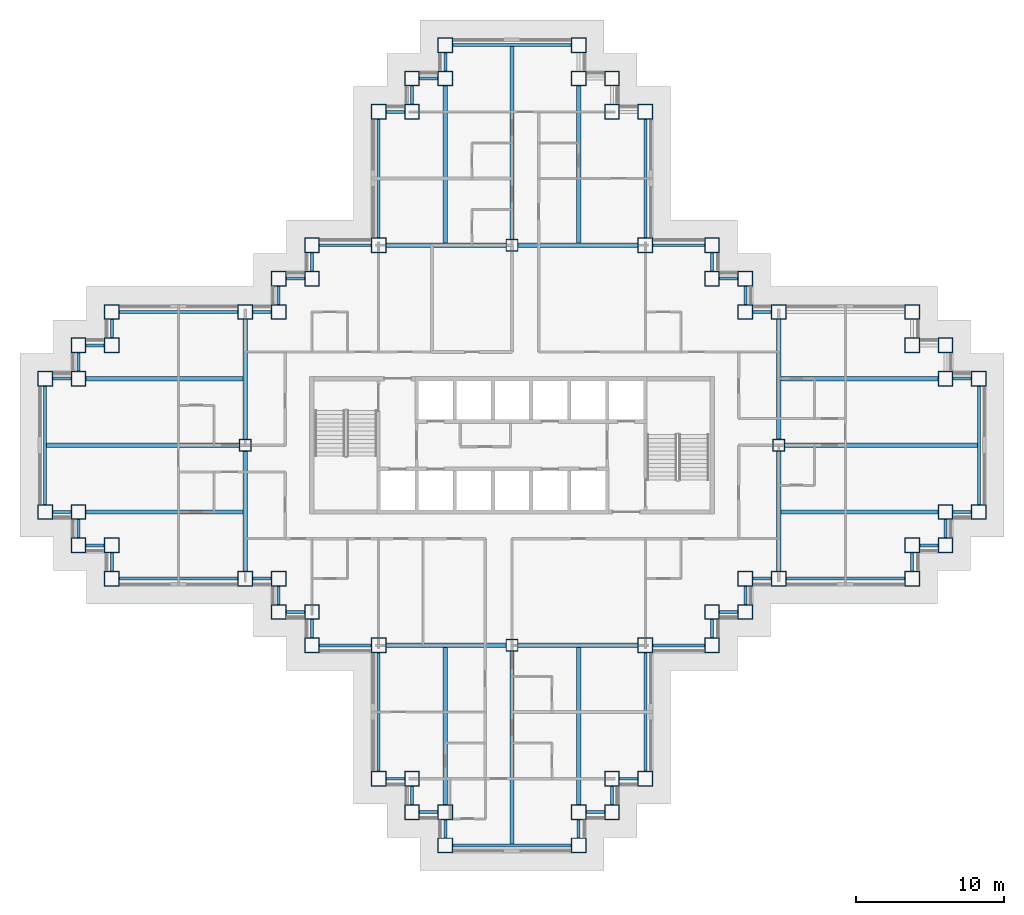
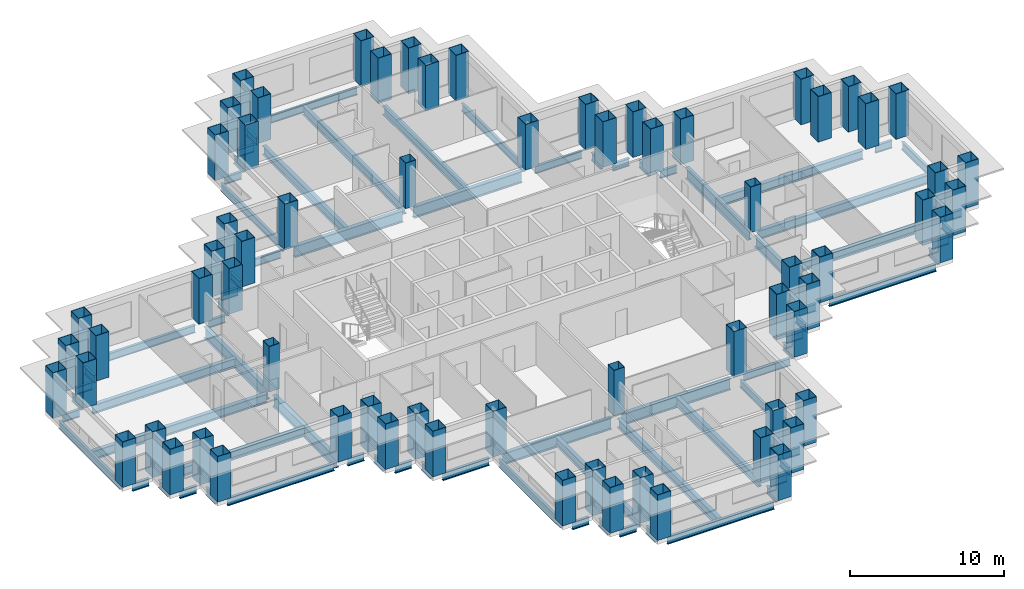
# One storey, part 1 of 14: 76 beams, 68 columns.
"""IFC4 building model written with IfcOpenShell, lengths in metres."""

from ifc_helpers import new_model, si_unit, direction, frame, origin, origin_2d, place, context, subcontext, project, spatial, hollow_rectangle, i_section, extrude, material, material_profile, profile_set, type_object, element, save


model = new_model("IFC4")

# Units and contexts
model_context = context("Model", 3, precision=1e-05, world=origin(), true_north=direction((0.0, 1.0)))
body_context = subcontext(model_context, "Body", "Model", "MODEL_VIEW")
ifc_project = project(units=[si_unit("LENGTHUNIT", "METRE"), si_unit("AREAUNIT", "SQUARE_METRE"), si_unit("VOLUMEUNIT", "CUBIC_METRE"), si_unit("PLANEANGLEUNIT", "RADIAN"), si_unit("MASSUNIT", "GRAM", prefix="KILO")], contexts=[model_context])

# Site, building, storey
site_placement = place(None, origin())
site = spatial("IfcSite", under=ifc_project, at=site_placement, CompositionType="ELEMENT")
building_placement = place(site_placement, origin())
building = spatial("IfcBuilding", under=site, at=building_placement, Name="Caravel Reach Hotel and Residences", CompositionType="ELEMENT")
storey_placement = place(building_placement, frame((0.0, 0.0, 67.199951171875)))
storey = spatial("IfcBuildingStorey", under=building, at=storey_placement, Name="L15", CompositionType="ELEMENT", Elevation=67.199951171875)

# Columns
ifc_material_1 = material(Name="Concrete-filled steel tube Q390B with Concrete C70 infill", Category="concrete")
ifc_material_profile_1 = material_profile(ifc_material_1, hollow_rectangle(XDim=1.0, YDim=1.0, WallThickness=0.031982421875, at=origin_2d()), Name="RHS 1000x1000x32")
ifc_profile_set_1 = profile_set([ifc_material_profile_1], Name="Concrete-filled steel tube Q390B with Concrete C70 infill")
column_type_1 = type_object("IfcColumnType", Name="CFT 1000x1000 Q390B C70", PredefinedType="COLUMN", material=ifc_profile_set_1)
for number, where, z_axis, x_axis, name in (
    (1, (22.5, 4.5, 0.0), (0.0, 0.0, 1.0), (1.0, 0.0, 0.0), "C2 column"),
    (2, (24.75, 4.5, 0.0), (0.0, 0.0, 1.0), (1.0, 0.0, 0.0), "C2 column"),
    (3, (24.75, 2.25, 0.0), (0.0, 0.0, 1.0), (1.0, 0.0, 0.0), "C2 column"),
    (4, (27.0, 2.25, 0.0), (0.0, 0.0, 1.0), (1.0, 0.0, 0.0), "C2 column"),
    (5, (27.0, 0.0, 0.0), (0.0, 0.0, 1.0), (1.0, 0.0, 0.0), "C2 column"),
    (6, (36.0, 0.0, 0.0), (0.0, 0.0, 1.0), (1.0, 0.0, 0.0), "C2 column"),
    (7, (36.0, 2.25, 0.0), (0.0, 0.0, 1.0), (1.0, 0.0, 0.0), "C2 column"),
    (8, (38.25, 2.25, 0.0), (0.0, 0.0, 1.0), (1.0, 0.0, 0.0), "C2 column"),
    (9, (38.25, 4.5, 0.0), (0.0, 0.0, 1.0), (1.0, 0.0, 0.0), "C2 column"),
    (10, (40.5, 4.5, 0.0), (0.0, 0.0, 1.0), (1.0, 0.0, 0.0), "C2 column"),
    (11, (40.5, 13.5, 0.0), (0.0, 0.0, 1.0), (1.0, 0.0, 0.0), "C2 column"),
    (12, (45.0, 13.5, 0.0), (0.0, 0.0, 1.0), (1.0, 0.0, 0.0), "C2 column"),
    (13, (45.0, 15.75, 0.0), (0.0, 0.0, 1.0), (1.0, 0.0, 0.0), "C2 column"),
    (14, (47.25, 15.75, 0.0), (0.0, 0.0, 1.0), (1.0, 0.0, 0.0), "C2 column"),
    (15, (47.25, 18.0, 0.0), (0.0, 0.0, 1.0), (1.0, 0.0, 0.0), "C2 column"),
    (16, (49.5, 18.0, 0.0), (0.0, 0.0, 1.0), (1.0, 0.0, 0.0), "C2 column"),
    (17, (58.5, 18.0, 0.0), (0.0, 0.0, 1.0), (1.0, 0.0, 0.0), "C2 column"),
    (18, (58.5, 20.25, 0.0), (0.0, 0.0, 1.0), (1.0, 0.0, 0.0), "C2 column"),
    (19, (60.75, 20.25, 0.0), (0.0, 0.0, 1.0), (1.0, 0.0, 0.0), "C2 column"),
    (20, (60.75, 22.5, 0.0), (0.0, 0.0, 1.0), (1.0, 0.0, 0.0), "C2 column"),
    (21, (63.0, 22.5, 0.0), (0.0, 0.0, 1.0), (1.0, 0.0, 0.0), "C2 column"),
    (22, (63.0, 31.5, 0.0), (0.0, 0.0, 1.0), (1.0, 0.0, 0.0), "C2 column"),
    (23, (60.75, 31.5, 0.0), (0.0, 0.0, 1.0), (1.0, 0.0, 0.0), "C2 column"),
    (24, (60.75, 33.75, 0.0), (0.0, 0.0, 1.0), (1.0, 0.0, 0.0), "C2 column"),
    (25, (58.5, 33.75, 0.0), (0.0, 0.0, 1.0), (1.0, 0.0, 0.0), "C2 column"),
    (26, (58.5, 36.0, 0.0), (0.0, 0.0, 1.0), (1.0, 0.0, 0.0), "C2 column"),
    (27, (49.5, 36.0, 0.0), (0.0, 0.0, 1.0), (1.0, 0.0, 0.0), "C2 column"),
    (28, (47.25, 36.0, 0.0), (0.0, 0.0, 1.0), (1.0, 0.0, 0.0), "C2 column"),
    (29, (47.25, 38.25, 0.0), (0.0, 0.0, 1.0), (1.0, 0.0, 0.0), "C2 column"),
    (30, (45.0, 38.25, 0.0), (0.0, 0.0, 1.0), (1.0, 0.0, 0.0), "C2 column"),
    (31, (45.0, 40.5, 0.0), (0.0, 0.0, 1.0), (1.0, 0.0, 0.0), "C2 column"),
    (32, (40.5, 40.5, 0.0), (0.0, 0.0, 1.0), (1.0, 0.0, 0.0), "C2 column"),
    (33, (40.5, 49.5, 0.0), (0.0, 0.0, 1.0), (1.0, 0.0, 0.0), "C2 column"),
    (34, (38.25, 49.5, 0.0), (0.0, 0.0, 1.0), (1.0, 0.0, 0.0), "C2 column"),
    (35, (38.25, 51.75, 0.0), (0.0, 0.0, 1.0), (1.0, 0.0, 0.0), "C2 column"),
    (36, (36.0, 51.75, 0.0), (0.0, 0.0, 1.0), (1.0, 0.0, 0.0), "C2 column"),
    (37, (36.0, 54.0, 0.0), (0.0, 0.0, 1.0), (1.0, 0.0, 0.0), "C2 column"),
    (38, (27.0, 54.0, 0.0), (0.0, 0.0, 1.0), (1.0, 0.0, 0.0), "C2 column"),
    (39, (27.0, 51.75, 0.0), (0.0, 0.0, 1.0), (1.0, 0.0, 0.0), "C2 column"),
    (40, (24.75, 51.75, 0.0), (0.0, 0.0, 1.0), (1.0, 0.0, 0.0), "C2 column"),
    (41, (24.75, 49.5, 0.0), (0.0, 0.0, 1.0), (1.0, 0.0, 0.0), "C2 column"),
    (42, (22.5, 49.5, 0.0), (0.0, 0.0, 1.0), (1.0, 0.0, 0.0), "C2 column"),
    (43, (22.5, 40.5, 0.0), (0.0, 0.0, 1.0), (1.0, 0.0, 0.0), "C2 column"),
    (44, (18.0, 40.5, 0.0), (0.0, 0.0, 1.0), (1.0, 0.0, 0.0), "C2 column"),
    (45, (18.0, 38.25, 0.0), (0.0, 0.0, 1.0), (1.0, 0.0, 0.0), "C2 column"),
    (46, (15.75, 38.25, 0.0), (0.0, 0.0, 1.0), (1.0, 0.0, 0.0), "C2 column"),
    (47, (15.75, 36.0, 0.0), (0.0, 0.0, 1.0), (1.0, 0.0, 0.0), "C2 column"),
    (48, (13.5, 36.0, 0.0), (0.0, 0.0, 1.0), (1.0, 0.0, 0.0), "C2 column"),
    (49, (4.5, 36.0, 0.0), (0.0, 0.0, 1.0), (1.0, 0.0, 0.0), "C2 column"),
    (50, (4.5, 33.75, 0.0), (0.0, 0.0, 1.0), (1.0, 0.0, 0.0), "C2 column"),
    (51, (2.25, 33.75, 0.0), (0.0, 0.0, 1.0), (1.0, 0.0, 0.0), "C2 column"),
    (52, (2.25, 31.5, 0.0), (0.0, 0.0, 1.0), (1.0, 0.0, 0.0), "C2 column"),
    (53, (0.0, 31.5, 0.0), (0.0, 0.0, 1.0), (1.0, 0.0, 0.0), "C2 column"),
    (54, (0.0, 22.5, 0.0), (0.0, 0.0, 1.0), (1.0, 0.0, 0.0), "C2 column"),
    (55, (2.25, 22.5, 0.0), (0.0, 0.0, 1.0), (1.0, 0.0, 0.0), "C2 column"),
    (56, (2.25, 20.25, 0.0), (0.0, 0.0, 1.0), (1.0, 0.0, 0.0), "C2 column"),
    (57, (4.5, 20.25, 0.0), (0.0, 0.0, 1.0), (1.0, 0.0, 0.0), "C2 column"),
    (58, (4.5, 18.0, 0.0), (0.0, 0.0, 1.0), (1.0, 0.0, 0.0), "C2 column"),
    (59, (13.5, 18.0, 0.0), (0.0, 0.0, 1.0), (1.0, 0.0, 0.0), "C2 column"),
    (60, (15.75, 18.0, 0.0), (0.0, 0.0, 1.0), (1.0, 0.0, 0.0), "C2 column"),
    (61, (15.75, 15.75, 0.0), (0.0, 0.0, 1.0), (1.0, 0.0, 0.0), "C2 column"),
    (62, (18.0, 15.75, 0.0), (0.0, 0.0, 1.0), (1.0, 0.0, 0.0), "C2 column"),
    (63, (18.0, 13.5, 0.0), (0.0, 0.0, 1.0), (1.0, 0.0, 0.0), "C2 column"),
    (64, (22.5, 13.5, 0.0), (0.0, 0.0, 1.0), (1.0, 0.0, 0.0), "C2 column"),
):
    element("IfcColumn", number, at=place(storey_placement, frame(where, z_axis=z_axis, x_axis=x_axis)), inside=storey, type_object=column_type_1, Name=name, PredefinedType="COLUMN", context=body_context, shape_type="SweptSolid", body=[
        extrude(hollow_rectangle(XDim=1.0, YDim=1.0, WallThickness=0.031982421875, at=origin_2d()), origin(), (0.0, 0.0, 1.0), 3.60009765625),
    ])
ifc_material_2 = material(Name="Concrete-filled steel tube Q390B with Concrete C70 infill", Category="concrete")
ifc_material_profile_2 = material_profile(ifc_material_2, hollow_rectangle(XDim=0.800048828125, YDim=0.800048828125, WallThickness=0.02490234375, at=origin_2d()), Name="RHS 800x800x25")
ifc_profile_set_2 = profile_set([ifc_material_profile_2], Name="Concrete-filled steel tube Q390B with Concrete C70 infill")
column_type_2 = type_object("IfcColumnType", Name="CFT 800x800 Q390B C70", PredefinedType="COLUMN", material=ifc_profile_set_2)
for number, where, z_axis, x_axis, name in (
    (65, (31.5, 40.5, 0.0), (0.0, 0.0, 1.0), (1.0, 0.0, 0.0), "C4 column"),
    (66, (31.5, 13.5, 0.0), (0.0, 0.0, 1.0), (1.0, 0.0, 0.0), "C4 column"),
    (67, (13.5, 27.0, 0.0), (0.0, 0.0, 1.0), (1.0, 0.0, 0.0), "C4 column"),
    (68, (49.5, 27.0, 0.0), (0.0, 0.0, 1.0), (1.0, 0.0, 0.0), "C4 column"),
):
    element("IfcColumn", number, at=place(storey_placement, frame(where, z_axis=z_axis, x_axis=x_axis)), inside=storey, type_object=column_type_2, Name=name, PredefinedType="COLUMN", context=body_context, shape_type="SweptSolid", body=[
        extrude(hollow_rectangle(XDim=0.800048828125, YDim=0.800048828125, WallThickness=0.02490234375, at=origin_2d()), origin(), (0.0, 0.0, 1.0), 3.60009765625),
    ])

# Beams
ifc_material_3 = material(Name="Structural steel Q355B", Category="steel")
ifc_material_profile_3 = material_profile(ifc_material_3, i_section(OverallWidth=0.300048828125, OverallDepth=0.699951171875, WebThickness=0.012939453125, FlangeThickness=0.02392578125, FilletRadius=0.01806640625, at=origin_2d()), Name="HN 700x300x13x24")
ifc_profile_set_3 = profile_set([ifc_material_profile_3], Name="Structural steel Q355B")
beam_type_1 = type_object("IfcBeamType", Name="Beam HN 700x300x13x24", PredefinedType="BEAM", material=ifc_profile_set_3)
beam_1_placement = place(storey_placement, frame((27.0, 40.60009765625, -0.64990234375), z_axis=(0.0, 1.0, 0.0), x_axis=(-1.0, 0.0, 0.0)))
element("IfcBeam", 69, at=beam_1_placement, inside=storey, type_object=beam_type_1, Name="B2 HN 700x300x13x24", PredefinedType="BEAM", context=body_context, shape_type="SweptSolid", body=[
    extrude(i_section(OverallWidth=0.300048828125, OverallDepth=0.699951171875, WebThickness=0.012939453125, FlangeThickness=0.02392578125, FilletRadius=0.01806640625, at=origin_2d()), origin(), (0.0, 0.0, 1.0), 10.699951171875),
])
beam_2_placement = place(storey_placement, frame((31.5, 40.85009765625, -0.64990234375), z_axis=(0.0, 1.0, 0.0), x_axis=(-1.0, 0.0, 0.0)))
element("IfcBeam", 70, at=beam_2_placement, inside=storey, type_object=beam_type_1, Name="B2 HN 700x300x13x24", PredefinedType="BEAM", context=body_context, shape_type="SweptSolid", body=[
    extrude(i_section(OverallWidth=0.300048828125, OverallDepth=0.699951171875, WebThickness=0.012939453125, FlangeThickness=0.02392578125, FilletRadius=0.01806640625, at=origin_2d()), origin(), (0.0, 0.0, 1.0), 13.0498046875),
])
for number, where, z_axis, x_axis, name in (
    (71, (36.0, 40.60009765625, -0.64990234375), (0.0, 1.0, 0.0), (-1.0, 0.0, 0.0), "B2 HN 700x300x13x24"),
    (72, (27.0, 13.39990234375, -0.64990234375), (0.0, -1.0, 0.0), (1.0, 0.0, 0.0), "B2 HN 700x300x13x24"),
):
    element("IfcBeam", number, at=place(storey_placement, frame(where, z_axis=z_axis, x_axis=x_axis)), inside=storey, type_object=beam_type_1, Name=name, PredefinedType="BEAM", context=body_context, shape_type="SweptSolid", body=[
        extrude(i_section(OverallWidth=0.300048828125, OverallDepth=0.699951171875, WebThickness=0.012939453125, FlangeThickness=0.02392578125, FilletRadius=0.01806640625, at=origin_2d()), origin(), (0.0, 0.0, 1.0), 10.699951171875),
    ])
beam_3_placement = place(storey_placement, frame((31.5, 13.14990234375, -0.64990234375), z_axis=(0.0, -1.0, 0.0), x_axis=(1.0, 0.0, 0.0)))
element("IfcBeam", 73, at=beam_3_placement, inside=storey, type_object=beam_type_1, Name="B2 HN 700x300x13x24", PredefinedType="BEAM", context=body_context, shape_type="SweptSolid", body=[
    extrude(i_section(OverallWidth=0.300048828125, OverallDepth=0.699951171875, WebThickness=0.012939453125, FlangeThickness=0.02392578125, FilletRadius=0.01806640625, at=origin_2d()), origin(), (0.0, 0.0, 1.0), 13.0498046875),
])
for number, where, z_axis, x_axis, name in (
    (74, (36.0, 13.39990234375, -0.64990234375), (0.0, -1.0, 0.0), (1.0, 0.0, 0.0), "B2 HN 700x300x13x24"),
    (75, (49.60009765625, 22.5, -0.64990234375), (1.0, 0.0, 0.0), (0.0, 1.0, 0.0), "B2 HN 700x300x13x24"),
):
    element("IfcBeam", number, at=place(storey_placement, frame(where, z_axis=z_axis, x_axis=x_axis)), inside=storey, type_object=beam_type_1, Name=name, PredefinedType="BEAM", context=body_context, shape_type="SweptSolid", body=[
        extrude(i_section(OverallWidth=0.300048828125, OverallDepth=0.699951171875, WebThickness=0.012939453125, FlangeThickness=0.02392578125, FilletRadius=0.01806640625, at=origin_2d()), origin(), (0.0, 0.0, 1.0), 10.699951171875),
    ])
beam_4_placement = place(storey_placement, frame((49.85009765625, 27.0, -0.64990234375), z_axis=(1.0, 0.0, 0.0), x_axis=(0.0, 1.0, 0.0)))
element("IfcBeam", 76, at=beam_4_placement, inside=storey, type_object=beam_type_1, Name="B2 HN 700x300x13x24", PredefinedType="BEAM", context=body_context, shape_type="SweptSolid", body=[
    extrude(i_section(OverallWidth=0.300048828125, OverallDepth=0.699951171875, WebThickness=0.012939453125, FlangeThickness=0.02392578125, FilletRadius=0.01806640625, at=origin_2d()), origin(), (0.0, 0.0, 1.0), 13.0498046875),
])
for number, where, z_axis, x_axis, name in (
    (77, (49.60009765625, 31.5, -0.64990234375), (1.0, 0.0, 0.0), (0.0, 1.0, 0.0), "B2 HN 700x300x13x24"),
    (78, (13.39990234375, 22.5, -0.64990234375), (-1.0, 0.0, 0.0), (0.0, -1.0, 0.0), "B2 HN 700x300x13x24"),
):
    element("IfcBeam", number, at=place(storey_placement, frame(where, z_axis=z_axis, x_axis=x_axis)), inside=storey, type_object=beam_type_1, Name=name, PredefinedType="BEAM", context=body_context, shape_type="SweptSolid", body=[
        extrude(i_section(OverallWidth=0.300048828125, OverallDepth=0.699951171875, WebThickness=0.012939453125, FlangeThickness=0.02392578125, FilletRadius=0.01806640625, at=origin_2d()), origin(), (0.0, 0.0, 1.0), 10.699951171875),
    ])
beam_5_placement = place(storey_placement, frame((13.14990234375, 27.0, -0.64990234375), z_axis=(-1.0, 0.0, 0.0), x_axis=(0.0, -1.0, 0.0)))
element("IfcBeam", 79, at=beam_5_placement, inside=storey, type_object=beam_type_1, Name="B2 HN 700x300x13x24", PredefinedType="BEAM", context=body_context, shape_type="SweptSolid", body=[
    extrude(i_section(OverallWidth=0.300048828125, OverallDepth=0.699951171875, WebThickness=0.012939453125, FlangeThickness=0.02392578125, FilletRadius=0.01806640625, at=origin_2d()), origin(), (0.0, 0.0, 1.0), 13.0498046875),
])
beam_6_placement = place(storey_placement, frame((13.39990234375, 31.5, -0.64990234375), z_axis=(-1.0, 0.0, 0.0), x_axis=(0.0, -1.0, 0.0)))
element("IfcBeam", 80, at=beam_6_placement, inside=storey, type_object=beam_type_1, Name="B2 HN 700x300x13x24", PredefinedType="BEAM", context=body_context, shape_type="SweptSolid", body=[
    extrude(i_section(OverallWidth=0.300048828125, OverallDepth=0.699951171875, WebThickness=0.012939453125, FlangeThickness=0.02392578125, FilletRadius=0.01806640625, at=origin_2d()), origin(), (0.0, 0.0, 1.0), 10.699951171875),
])
ifc_material_4 = material(Name="Structural steel Q355B", Category="steel")
ifc_material_profile_4 = material_profile(ifc_material_4, i_section(OverallWidth=0.300048828125, OverallDepth=0.89990234375, WebThickness=0.01611328125, FlangeThickness=0.028076171875, FilletRadius=0.01806640625, at=origin_2d()), Name="HN 900x300x16x28")
ifc_profile_set_4 = profile_set([ifc_material_profile_4], Name="Structural steel Q355B")
beam_type_2 = type_object("IfcBeamType", Name="Beam HN 900x300x16x28", PredefinedType="BEAM", material=ifc_profile_set_4)
for number, where, z_axis, x_axis, name in (
    (81, (23.0, 40.5, -0.75), (1.0, 0.0, 0.0), (0.0, 1.0, 0.0), "B3 HN 900x300x16x28"),
    (82, (31.89990234375, 40.5, -0.75), (1.0, 0.0, 0.0), (0.0, 1.0, 0.0), "B3 HN 900x300x16x28"),
    (83, (23.0, 13.5, -0.75), (1.0, 0.0, 0.0), (0.0, 1.0, 0.0), "B3 HN 900x300x16x28"),
    (84, (31.89990234375, 13.5, -0.75), (1.0, 0.0, 0.0), (0.0, 1.0, 0.0), "B3 HN 900x300x16x28"),
    (85, (13.5, 18.5, -0.75), (0.0, 1.0, 0.0), (-1.0, 0.0, 0.0), "B3 HN 900x300x16x28"),
    (86, (13.5, 27.39990234375, -0.75), (0.0, 1.0, 0.0), (-1.0, 0.0, 0.0), "B3 HN 900x300x16x28"),
    (87, (49.5, 18.5, -0.75), (0.0, 1.0, 0.0), (-1.0, 0.0, 0.0), "B3 HN 900x300x16x28"),
    (88, (49.5, 27.39990234375, -0.75), (0.0, 1.0, 0.0), (-1.0, 0.0, 0.0), "B3 HN 900x300x16x28"),
):
    element("IfcBeam", number, at=place(storey_placement, frame(where, z_axis=z_axis, x_axis=x_axis)), inside=storey, type_object=beam_type_2, Name=name, PredefinedType="BEAM", context=body_context, shape_type="SweptSolid", body=[
        extrude(i_section(OverallWidth=0.300048828125, OverallDepth=0.89990234375, WebThickness=0.01611328125, FlangeThickness=0.028076171875, FilletRadius=0.01806640625, at=origin_2d()), origin(), (0.0, 0.0, 1.0), 8.10009765625),
    ])
ifc_material_5 = material(Name="Structural steel Q355B", Category="steel")
ifc_material_profile_5 = material_profile(ifc_material_5, i_section(OverallWidth=0.199951171875, OverallDepth=0.60009765625, WebThickness=0.010986328125, FlangeThickness=0.01708984375, FilletRadius=0.012939453125, at=origin_2d()), Name="HN 600x200x11x17")
ifc_profile_set_5 = profile_set([ifc_material_profile_5], Name="Structural steel Q355B")
beam_type_3 = type_object("IfcBeamType", Name="Spandrel beam HN 600x200x11x17", PredefinedType="SPANDREL", material=ifc_profile_set_5)
for number, where, z_axis, x_axis, name in (
    (89, (23.0, 4.5, -0.599853515625), (1.0, 0.0, 0.0), (0.0, 1.0, 0.0), "SP1 HN 600x200x11x17"),
    (90, (24.75, 4.0, -0.599853515625), (0.0, -1.0, 0.0), (1.0, 0.0, 0.0), "SP1 HN 600x200x11x17"),
    (91, (25.25, 2.25, -0.599853515625), (1.0, 0.0, 0.0), (0.0, 1.0, 0.0), "SP1 HN 600x200x11x17"),
    (92, (27.0, 1.75, -0.599853515625), (0.0, -1.0, 0.0), (1.0, 0.0, 0.0), "SP1 HN 600x200x11x17"),
):
    element("IfcBeam", number, at=place(storey_placement, frame(where, z_axis=z_axis, x_axis=x_axis)), inside=storey, type_object=beam_type_3, Name=name, PredefinedType="SPANDREL", context=body_context, shape_type="SweptSolid", body=[
        extrude(i_section(OverallWidth=0.199951171875, OverallDepth=0.60009765625, WebThickness=0.010986328125, FlangeThickness=0.01708984375, FilletRadius=0.012939453125, at=origin_2d()), origin(), (0.0, 0.0, 1.0), 1.25),
    ])
beam_7_placement = place(storey_placement, frame((27.5, 0.0, -0.599853515625), z_axis=(1.0, 0.0, 0.0), x_axis=(0.0, 1.0, 0.0)))
element("IfcBeam", 93, at=beam_7_placement, inside=storey, type_object=beam_type_3, Name="SP1 HN 600x200x11x17", PredefinedType="SPANDREL", context=body_context, shape_type="SweptSolid", body=[
    extrude(i_section(OverallWidth=0.199951171875, OverallDepth=0.60009765625, WebThickness=0.010986328125, FlangeThickness=0.01708984375, FilletRadius=0.012939453125, at=origin_2d()), origin(), (0.0, 0.0, 1.0), 8.0),
])
for number, where, z_axis, x_axis, name in (
    (94, (36.0, 0.5, -0.599853515625), (0.0, 1.0, 0.0), (-1.0, 0.0, 0.0), "SP1 HN 600x200x11x17"),
    (95, (36.5, 2.25, -0.599853515625), (1.0, 0.0, 0.0), (0.0, 1.0, 0.0), "SP1 HN 600x200x11x17"),
    (96, (38.25, 2.75, -0.599853515625), (0.0, 1.0, 0.0), (-1.0, 0.0, 0.0), "SP1 HN 600x200x11x17"),
    (97, (38.75, 4.5, -0.599853515625), (1.0, 0.0, 0.0), (0.0, 1.0, 0.0), "SP1 HN 600x200x11x17"),
):
    element("IfcBeam", number, at=place(storey_placement, frame(where, z_axis=z_axis, x_axis=x_axis)), inside=storey, type_object=beam_type_3, Name=name, PredefinedType="SPANDREL", context=body_context, shape_type="SweptSolid", body=[
        extrude(i_section(OverallWidth=0.199951171875, OverallDepth=0.60009765625, WebThickness=0.010986328125, FlangeThickness=0.01708984375, FilletRadius=0.012939453125, at=origin_2d()), origin(), (0.0, 0.0, 1.0), 1.25),
    ])
beam_8_placement = place(storey_placement, frame((40.5, 5.0, -0.599853515625), z_axis=(0.0, 1.0, 0.0), x_axis=(-1.0, 0.0, 0.0)))
element("IfcBeam", 98, at=beam_8_placement, inside=storey, type_object=beam_type_3, Name="SP1 HN 600x200x11x17", PredefinedType="SPANDREL", context=body_context, shape_type="SweptSolid", body=[
    extrude(i_section(OverallWidth=0.199951171875, OverallDepth=0.60009765625, WebThickness=0.010986328125, FlangeThickness=0.01708984375, FilletRadius=0.012939453125, at=origin_2d()), origin(), (0.0, 0.0, 1.0), 8.0),
])
beam_9_placement = place(storey_placement, frame((41.0, 13.5, -0.599853515625), z_axis=(1.0, 0.0, 0.0), x_axis=(0.0, 1.0, 0.0)))
element("IfcBeam", 99, at=beam_9_placement, inside=storey, type_object=beam_type_3, Name="SP1 HN 600x200x11x17", PredefinedType="SPANDREL", context=body_context, shape_type="SweptSolid", body=[
    extrude(i_section(OverallWidth=0.199951171875, OverallDepth=0.60009765625, WebThickness=0.010986328125, FlangeThickness=0.01708984375, FilletRadius=0.012939453125, at=origin_2d()), origin(), (0.0, 0.0, 1.0), 3.5),
])
for number, where, z_axis, x_axis, name in (
    (100, (45.0, 14.0, -0.599853515625), (0.0, 1.0, 0.0), (-1.0, 0.0, 0.0), "SP1 HN 600x200x11x17"),
    (101, (45.5, 15.75, -0.599853515625), (1.0, 0.0, 0.0), (0.0, 1.0, 0.0), "SP1 HN 600x200x11x17"),
    (102, (47.25, 16.25, -0.599853515625), (0.0, 1.0, 0.0), (-1.0, 0.0, 0.0), "SP1 HN 600x200x11x17"),
    (103, (47.75, 18.0, -0.599853515625), (1.0, 0.0, 0.0), (0.0, 1.0, 0.0), "SP1 HN 600x200x11x17"),
):
    element("IfcBeam", number, at=place(storey_placement, frame(where, z_axis=z_axis, x_axis=x_axis)), inside=storey, type_object=beam_type_3, Name=name, PredefinedType="SPANDREL", context=body_context, shape_type="SweptSolid", body=[
        extrude(i_section(OverallWidth=0.199951171875, OverallDepth=0.60009765625, WebThickness=0.010986328125, FlangeThickness=0.01708984375, FilletRadius=0.012939453125, at=origin_2d()), origin(), (0.0, 0.0, 1.0), 1.25),
    ])
beam_10_placement = place(storey_placement, frame((50.0, 18.0, -0.599853515625), z_axis=(1.0, 0.0, 0.0), x_axis=(0.0, 1.0, 0.0)))
element("IfcBeam", 104, at=beam_10_placement, inside=storey, type_object=beam_type_3, Name="SP1 HN 600x200x11x17", PredefinedType="SPANDREL", context=body_context, shape_type="SweptSolid", body=[
    extrude(i_section(OverallWidth=0.199951171875, OverallDepth=0.60009765625, WebThickness=0.010986328125, FlangeThickness=0.01708984375, FilletRadius=0.012939453125, at=origin_2d()), origin(), (0.0, 0.0, 1.0), 8.0),
])
for number, where, z_axis, x_axis, name in (
    (105, (58.5, 18.5, -0.599853515625), (0.0, 1.0, 0.0), (-1.0, 0.0, 0.0), "SP1 HN 600x200x11x17"),
    (106, (59.0, 20.25, -0.599853515625), (1.0, 0.0, 0.0), (0.0, 1.0, 0.0), "SP1 HN 600x200x11x17"),
    (107, (60.75, 20.75, -0.599853515625), (0.0, 1.0, 0.0), (-1.0, 0.0, 0.0), "SP1 HN 600x200x11x17"),
    (108, (61.25, 22.5, -0.599853515625), (1.0, 0.0, 0.0), (0.0, 1.0, 0.0), "SP1 HN 600x200x11x17"),
):
    element("IfcBeam", number, at=place(storey_placement, frame(where, z_axis=z_axis, x_axis=x_axis)), inside=storey, type_object=beam_type_3, Name=name, PredefinedType="SPANDREL", context=body_context, shape_type="SweptSolid", body=[
        extrude(i_section(OverallWidth=0.199951171875, OverallDepth=0.60009765625, WebThickness=0.010986328125, FlangeThickness=0.01708984375, FilletRadius=0.012939453125, at=origin_2d()), origin(), (0.0, 0.0, 1.0), 1.25),
    ])
beam_11_placement = place(storey_placement, frame((63.0, 23.0, -0.599853515625), z_axis=(0.0, 1.0, 0.0), x_axis=(-1.0, 0.0, 0.0)))
element("IfcBeam", 109, at=beam_11_placement, inside=storey, type_object=beam_type_3, Name="SP1 HN 600x200x11x17", PredefinedType="SPANDREL", context=body_context, shape_type="SweptSolid", body=[
    extrude(i_section(OverallWidth=0.199951171875, OverallDepth=0.60009765625, WebThickness=0.010986328125, FlangeThickness=0.01708984375, FilletRadius=0.012939453125, at=origin_2d()), origin(), (0.0, 0.0, 1.0), 8.0),
])
for number, where, z_axis, x_axis, name in (
    (110, (62.5, 31.5, -0.599853515625), (-1.0, 0.0, 0.0), (0.0, -1.0, 0.0), "SP1 HN 600x200x11x17"),
    (111, (49.0, 36.0, -0.599853515625), (-1.0, 0.0, 0.0), (0.0, -1.0, 0.0), "SP1 HN 600x200x11x17"),
    (112, (47.25, 36.5, -0.599853515625), (0.0, 1.0, 0.0), (-1.0, 0.0, 0.0), "SP1 HN 600x200x11x17"),
    (113, (46.75, 38.25, -0.599853515625), (-1.0, 0.0, 0.0), (0.0, -1.0, 0.0), "SP1 HN 600x200x11x17"),
    (114, (45.0, 38.75, -0.599853515625), (0.0, 1.0, 0.0), (-1.0, 0.0, 0.0), "SP1 HN 600x200x11x17"),
):
    element("IfcBeam", number, at=place(storey_placement, frame(where, z_axis=z_axis, x_axis=x_axis)), inside=storey, type_object=beam_type_3, Name=name, PredefinedType="SPANDREL", context=body_context, shape_type="SweptSolid", body=[
        extrude(i_section(OverallWidth=0.199951171875, OverallDepth=0.60009765625, WebThickness=0.010986328125, FlangeThickness=0.01708984375, FilletRadius=0.012939453125, at=origin_2d()), origin(), (0.0, 0.0, 1.0), 1.25),
    ])
beam_12_placement = place(storey_placement, frame((44.5, 40.5, -0.599853515625), z_axis=(-1.0, 0.0, 0.0), x_axis=(0.0, -1.0, 0.0)))
element("IfcBeam", 115, at=beam_12_placement, inside=storey, type_object=beam_type_3, Name="SP1 HN 600x200x11x17", PredefinedType="SPANDREL", context=body_context, shape_type="SweptSolid", body=[
    extrude(i_section(OverallWidth=0.199951171875, OverallDepth=0.60009765625, WebThickness=0.010986328125, FlangeThickness=0.01708984375, FilletRadius=0.012939453125, at=origin_2d()), origin(), (0.0, 0.0, 1.0), 3.5),
])
for number, where, z_axis, x_axis, name in (
    (116, (40.5, 41.0, -0.599853515625), (0.0, 1.0, 0.0), (-1.0, 0.0, 0.0), "SP1 HN 600x200x11x17"),
    (117, (35.5, 54.0, -0.599853515625), (-1.0, 0.0, 0.0), (0.0, -1.0, 0.0), "SP1 HN 600x200x11x17"),
):
    element("IfcBeam", number, at=place(storey_placement, frame(where, z_axis=z_axis, x_axis=x_axis)), inside=storey, type_object=beam_type_3, Name=name, PredefinedType="SPANDREL", context=body_context, shape_type="SweptSolid", body=[
        extrude(i_section(OverallWidth=0.199951171875, OverallDepth=0.60009765625, WebThickness=0.010986328125, FlangeThickness=0.01708984375, FilletRadius=0.012939453125, at=origin_2d()), origin(), (0.0, 0.0, 1.0), 8.0),
    ])
for number, where, z_axis, x_axis, name in (
    (118, (27.0, 53.5, -0.599853515625), (0.0, -1.0, 0.0), (1.0, 0.0, 0.0), "SP1 HN 600x200x11x17"),
    (119, (26.5, 51.75, -0.599853515625), (-1.0, 0.0, 0.0), (0.0, -1.0, 0.0), "SP1 HN 600x200x11x17"),
    (120, (24.75, 51.25, -0.599853515625), (0.0, -1.0, 0.0), (1.0, 0.0, 0.0), "SP1 HN 600x200x11x17"),
    (121, (24.25, 49.5, -0.599853515625), (-1.0, 0.0, 0.0), (0.0, -1.0, 0.0), "SP1 HN 600x200x11x17"),
):
    element("IfcBeam", number, at=place(storey_placement, frame(where, z_axis=z_axis, x_axis=x_axis)), inside=storey, type_object=beam_type_3, Name=name, PredefinedType="SPANDREL", context=body_context, shape_type="SweptSolid", body=[
        extrude(i_section(OverallWidth=0.199951171875, OverallDepth=0.60009765625, WebThickness=0.010986328125, FlangeThickness=0.01708984375, FilletRadius=0.012939453125, at=origin_2d()), origin(), (0.0, 0.0, 1.0), 1.25),
    ])
beam_13_placement = place(storey_placement, frame((22.5, 49.0, -0.599853515625), z_axis=(0.0, -1.0, 0.0), x_axis=(1.0, 0.0, 0.0)))
element("IfcBeam", 122, at=beam_13_placement, inside=storey, type_object=beam_type_3, Name="SP1 HN 600x200x11x17", PredefinedType="SPANDREL", context=body_context, shape_type="SweptSolid", body=[
    extrude(i_section(OverallWidth=0.199951171875, OverallDepth=0.60009765625, WebThickness=0.010986328125, FlangeThickness=0.01708984375, FilletRadius=0.012939453125, at=origin_2d()), origin(), (0.0, 0.0, 1.0), 8.0),
])
beam_14_placement = place(storey_placement, frame((22.0, 40.5, -0.599853515625), z_axis=(-1.0, 0.0, 0.0), x_axis=(0.0, -1.0, 0.0)))
element("IfcBeam", 123, at=beam_14_placement, inside=storey, type_object=beam_type_3, Name="SP1 HN 600x200x11x17", PredefinedType="SPANDREL", context=body_context, shape_type="SweptSolid", body=[
    extrude(i_section(OverallWidth=0.199951171875, OverallDepth=0.60009765625, WebThickness=0.010986328125, FlangeThickness=0.01708984375, FilletRadius=0.012939453125, at=origin_2d()), origin(), (0.0, 0.0, 1.0), 3.5),
])
for number, where, z_axis, x_axis, name in (
    (124, (18.0, 40.0, -0.599853515625), (0.0, -1.0, 0.0), (1.0, 0.0, 0.0), "SP1 HN 600x200x11x17"),
    (125, (17.5, 38.25, -0.599853515625), (-1.0, 0.0, 0.0), (0.0, -1.0, 0.0), "SP1 HN 600x200x11x17"),
    (126, (15.75, 37.75, -0.599853515625), (0.0, -1.0, 0.0), (1.0, 0.0, 0.0), "SP1 HN 600x200x11x17"),
    (127, (15.25, 36.0, -0.599853515625), (-1.0, 0.0, 0.0), (0.0, -1.0, 0.0), "SP1 HN 600x200x11x17"),
):
    element("IfcBeam", number, at=place(storey_placement, frame(where, z_axis=z_axis, x_axis=x_axis)), inside=storey, type_object=beam_type_3, Name=name, PredefinedType="SPANDREL", context=body_context, shape_type="SweptSolid", body=[
        extrude(i_section(OverallWidth=0.199951171875, OverallDepth=0.60009765625, WebThickness=0.010986328125, FlangeThickness=0.01708984375, FilletRadius=0.012939453125, at=origin_2d()), origin(), (0.0, 0.0, 1.0), 1.25),
    ])
beam_15_placement = place(storey_placement, frame((13.0, 36.0, -0.599853515625), z_axis=(-1.0, 0.0, 0.0), x_axis=(0.0, -1.0, 0.0)))
element("IfcBeam", 128, at=beam_15_placement, inside=storey, type_object=beam_type_3, Name="SP1 HN 600x200x11x17", PredefinedType="SPANDREL", context=body_context, shape_type="SweptSolid", body=[
    extrude(i_section(OverallWidth=0.199951171875, OverallDepth=0.60009765625, WebThickness=0.010986328125, FlangeThickness=0.01708984375, FilletRadius=0.012939453125, at=origin_2d()), origin(), (0.0, 0.0, 1.0), 8.0),
])
for number, where, z_axis, x_axis, name in (
    (129, (4.5, 35.5, -0.599853515625), (0.0, -1.0, 0.0), (1.0, 0.0, 0.0), "SP1 HN 600x200x11x17"),
    (130, (4.0, 33.75, -0.599853515625), (-1.0, 0.0, 0.0), (0.0, -1.0, 0.0), "SP1 HN 600x200x11x17"),
    (131, (2.25, 33.25, -0.599853515625), (0.0, -1.0, 0.0), (1.0, 0.0, 0.0), "SP1 HN 600x200x11x17"),
    (132, (1.75, 31.5, -0.599853515625), (-1.0, 0.0, 0.0), (0.0, -1.0, 0.0), "SP1 HN 600x200x11x17"),
):
    element("IfcBeam", number, at=place(storey_placement, frame(where, z_axis=z_axis, x_axis=x_axis)), inside=storey, type_object=beam_type_3, Name=name, PredefinedType="SPANDREL", context=body_context, shape_type="SweptSolid", body=[
        extrude(i_section(OverallWidth=0.199951171875, OverallDepth=0.60009765625, WebThickness=0.010986328125, FlangeThickness=0.01708984375, FilletRadius=0.012939453125, at=origin_2d()), origin(), (0.0, 0.0, 1.0), 1.25),
    ])
beam_16_placement = place(storey_placement, frame((0.0, 31.0, -0.599853515625), z_axis=(0.0, -1.0, 0.0), x_axis=(1.0, 0.0, 0.0)))
element("IfcBeam", 133, at=beam_16_placement, inside=storey, type_object=beam_type_3, Name="SP1 HN 600x200x11x17", PredefinedType="SPANDREL", context=body_context, shape_type="SweptSolid", body=[
    extrude(i_section(OverallWidth=0.199951171875, OverallDepth=0.60009765625, WebThickness=0.010986328125, FlangeThickness=0.01708984375, FilletRadius=0.012939453125, at=origin_2d()), origin(), (0.0, 0.0, 1.0), 8.0),
])
for number, where, z_axis, x_axis, name in (
    (134, (0.5, 22.5, -0.599853515625), (1.0, 0.0, 0.0), (0.0, 1.0, 0.0), "SP1 HN 600x200x11x17"),
    (135, (2.25, 22.0, -0.599853515625), (0.0, -1.0, 0.0), (1.0, 0.0, 0.0), "SP1 HN 600x200x11x17"),
    (136, (2.75, 20.25, -0.599853515625), (1.0, 0.0, 0.0), (0.0, 1.0, 0.0), "SP1 HN 600x200x11x17"),
    (137, (4.5, 19.75, -0.599853515625), (0.0, -1.0, 0.0), (1.0, 0.0, 0.0), "SP1 HN 600x200x11x17"),
):
    element("IfcBeam", number, at=place(storey_placement, frame(where, z_axis=z_axis, x_axis=x_axis)), inside=storey, type_object=beam_type_3, Name=name, PredefinedType="SPANDREL", context=body_context, shape_type="SweptSolid", body=[
        extrude(i_section(OverallWidth=0.199951171875, OverallDepth=0.60009765625, WebThickness=0.010986328125, FlangeThickness=0.01708984375, FilletRadius=0.012939453125, at=origin_2d()), origin(), (0.0, 0.0, 1.0), 1.25),
    ])
beam_17_placement = place(storey_placement, frame((5.0, 18.0, -0.599853515625), z_axis=(1.0, 0.0, 0.0), x_axis=(0.0, 1.0, 0.0)))
element("IfcBeam", 138, at=beam_17_placement, inside=storey, type_object=beam_type_3, Name="SP1 HN 600x200x11x17", PredefinedType="SPANDREL", context=body_context, shape_type="SweptSolid", body=[
    extrude(i_section(OverallWidth=0.199951171875, OverallDepth=0.60009765625, WebThickness=0.010986328125, FlangeThickness=0.01708984375, FilletRadius=0.012939453125, at=origin_2d()), origin(), (0.0, 0.0, 1.0), 8.0),
])
for number, where, z_axis, x_axis, name in (
    (139, (14.0, 18.0, -0.599853515625), (1.0, 0.0, 0.0), (0.0, 1.0, 0.0), "SP1 HN 600x200x11x17"),
    (140, (15.75, 17.5, -0.599853515625), (0.0, -1.0, 0.0), (1.0, 0.0, 0.0), "SP1 HN 600x200x11x17"),
    (141, (16.25, 15.75, -0.599853515625), (1.0, 0.0, 0.0), (0.0, 1.0, 0.0), "SP1 HN 600x200x11x17"),
    (142, (18.0, 15.25, -0.599853515625), (0.0, -1.0, 0.0), (1.0, 0.0, 0.0), "SP1 HN 600x200x11x17"),
):
    element("IfcBeam", number, at=place(storey_placement, frame(where, z_axis=z_axis, x_axis=x_axis)), inside=storey, type_object=beam_type_3, Name=name, PredefinedType="SPANDREL", context=body_context, shape_type="SweptSolid", body=[
        extrude(i_section(OverallWidth=0.199951171875, OverallDepth=0.60009765625, WebThickness=0.010986328125, FlangeThickness=0.01708984375, FilletRadius=0.012939453125, at=origin_2d()), origin(), (0.0, 0.0, 1.0), 1.25),
    ])
beam_18_placement = place(storey_placement, frame((18.5, 13.5, -0.599853515625), z_axis=(1.0, 0.0, 0.0), x_axis=(0.0, 1.0, 0.0)))
element("IfcBeam", 143, at=beam_18_placement, inside=storey, type_object=beam_type_3, Name="SP1 HN 600x200x11x17", PredefinedType="SPANDREL", context=body_context, shape_type="SweptSolid", body=[
    extrude(i_section(OverallWidth=0.199951171875, OverallDepth=0.60009765625, WebThickness=0.010986328125, FlangeThickness=0.01708984375, FilletRadius=0.012939453125, at=origin_2d()), origin(), (0.0, 0.0, 1.0), 3.5),
])
beam_19_placement = place(storey_placement, frame((22.5, 13.0, -0.599853515625), z_axis=(0.0, -1.0, 0.0), x_axis=(1.0, 0.0, 0.0)))
element("IfcBeam", 144, at=beam_19_placement, inside=storey, type_object=beam_type_3, Name="SP1 HN 600x200x11x17", PredefinedType="SPANDREL", context=body_context, shape_type="SweptSolid", body=[
    extrude(i_section(OverallWidth=0.199951171875, OverallDepth=0.60009765625, WebThickness=0.010986328125, FlangeThickness=0.01708984375, FilletRadius=0.012939453125, at=origin_2d()), origin(), (0.0, 0.0, 1.0), 8.0),
])

save(model, "model.ifc")
